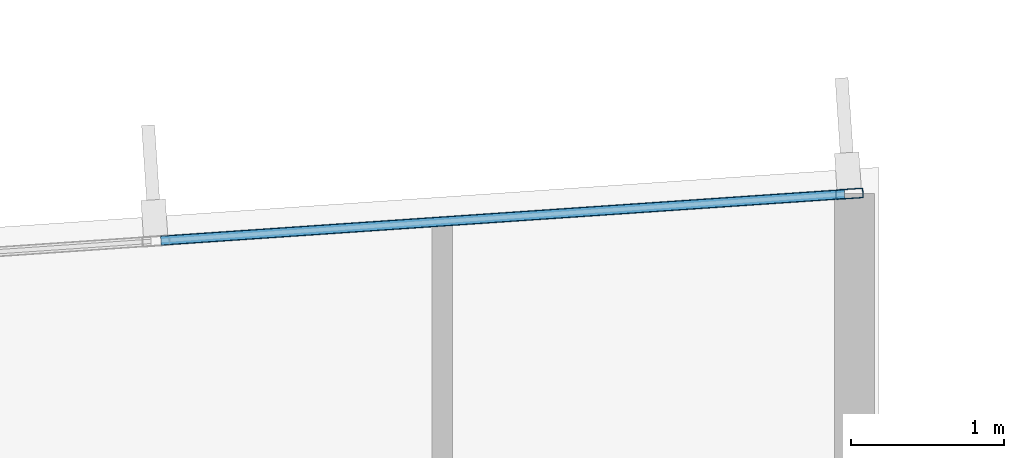
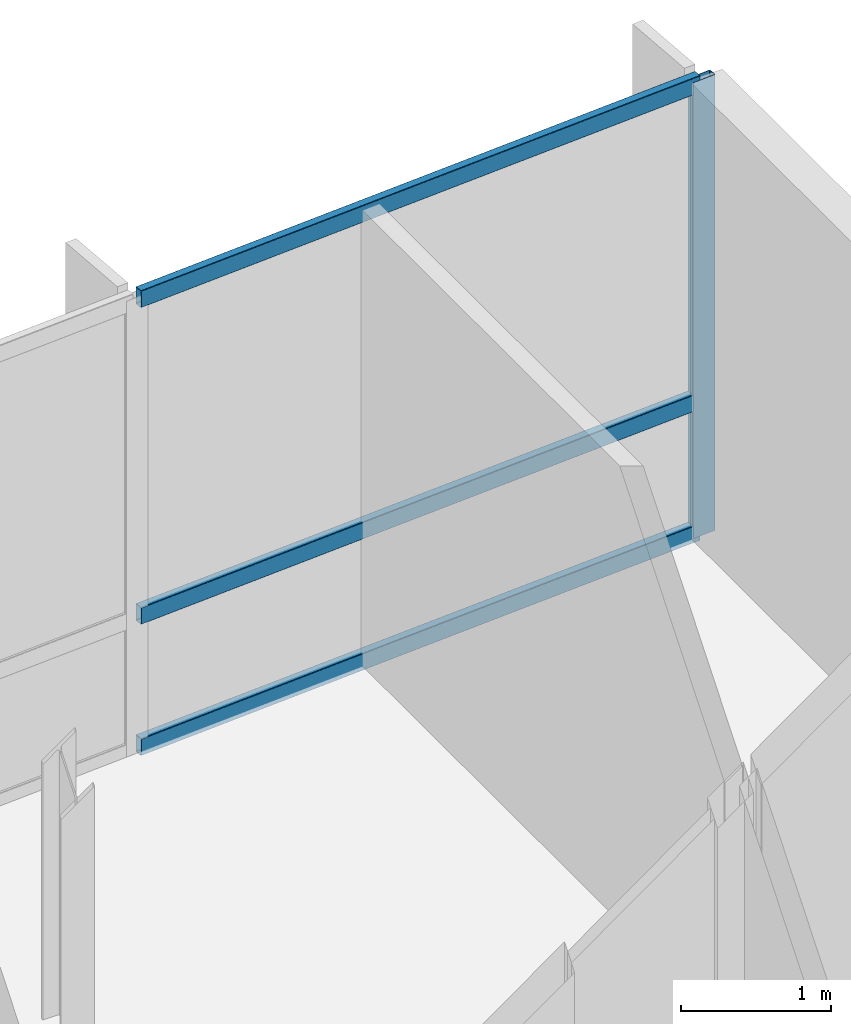
# One storey, part 8 of 16: 4 members, 1 element without a shape of its own.
"""IFC4 building model written with IfcOpenShell, lengths in metres."""

from ifc_helpers import new_model, si_unit, direction, frame, origin, origin_2d, place, context, subcontext, project, spatial, hollow_rectangle, extrude, material, layer, layer_set, material_profile, profile_set, type_object, element, aggregate, save


model = new_model("IFC4")

# Units and contexts
model_context = context("Model", 3, precision=1e-05, world=origin(), true_north=direction((0.0, 1.0)))
body_context = subcontext(model_context, "Body", "Model", "MODEL_VIEW")
ifc_project = project(units=[si_unit("LENGTHUNIT", "METRE"), si_unit("AREAUNIT", "SQUARE_METRE"), si_unit("VOLUMEUNIT", "CUBIC_METRE"), si_unit("PLANEANGLEUNIT", "RADIAN"), si_unit("MASSUNIT", "GRAM", prefix="KILO")], contexts=[model_context])

# Site, building, storey
site_placement = place(None, origin())
site = spatial("IfcSite", under=ifc_project, at=site_placement, CompositionType="ELEMENT")
building_placement = place(site_placement, origin())
building = spatial("IfcBuilding", under=site, at=building_placement, Name="Varnakote Quay Hospital", CompositionType="ELEMENT")
storey_placement = place(building_placement, frame((0.0, 0.0, 223.699951171875)))
storey = spatial("IfcBuildingStorey", under=building, at=storey_placement, Name="L55", CompositionType="ELEMENT", Elevation=223.699951171875)

# Curtain wall, members
ifc_material_1 = material(Name="Anodised aluminium 6063-T6 Bronze", Category="aluminium")
ifc_layer = layer(ifc_material_1, 0.219970703125)
ifc_layer_set = layer_set([ifc_layer], Name="Anodised aluminium 6063-T6 Bronze")
curtain_wall_type = type_object("IfcCurtainWallType", Name="CW-SYS-4", PredefinedType="NOTDEFINED", material=ifc_layer_set)
curtain_wall_placement = place(storey_placement, origin())
curtain_wall = element("IfcCurtainWall", 1, at=curtain_wall_placement, inside=storey, type_object=curtain_wall_type, Name="L55 Unitised Bronze Curtain Wall 2", PredefinedType="NOTDEFINED")
ifc_material_2 = material(Name="Anodised aluminium 6063-T6 Bronze", Category="aluminium")
ifc_material_profile_1 = material_profile(ifc_material_2, hollow_rectangle(XDim=0.06494140625, YDim=0.179931640625, WallThickness=0.00390625, InnerFilletRadius=0.00390625, OuterFilletRadius=0.008056640625, at=origin_2d()), Name="CW-MULL-180x65")
ifc_profile_set_1 = profile_set([ifc_material_profile_1], Name="Anodised aluminium 6063-T6 Bronze")
member_type_1 = type_object("IfcMemberType", Name="CW-MULL-180x65", PredefinedType="MULLION", material=ifc_profile_set_1)
member_1_placement = place(storey_placement, frame((48.507568359375, 31.626708984375, 0.0), z_axis=(0.0, 0.0, 1.0), x_axis=(0.067841851077, -0.997696087615, 0.0)))
member_1 = element("IfcMember", 2, at=member_1_placement, type_object=member_type_1, Name="-4-L55-2 mullion 1", PredefinedType="MULLION", context=body_context, shape_type="SweptSolid", body=[
    extrude(hollow_rectangle(XDim=0.06494140625, YDim=0.179931640625, WallThickness=0.00390625, InnerFilletRadius=0.00390625, OuterFilletRadius=0.008056640625, at=origin_2d()), origin(), (0.0, 0.0, 1.0), 3.7099609375),
])
ifc_material_3 = material(Name="Anodised aluminium 6063-T6 Bronze", Category="aluminium")
ifc_material_profile_2 = material_profile(ifc_material_3, hollow_rectangle(XDim=0.06494140625, YDim=0.139892578125, WallThickness=0.00390625, InnerFilletRadius=0.00390625, OuterFilletRadius=0.007568359375, at=origin_2d()), Name="CW-TRAN-140x65")
ifc_profile_set_2 = profile_set([ifc_material_profile_2], Name="Anodised aluminium 6063-T6 Bronze")
member_type_2 = type_object("IfcMemberType", Name="CW-TRAN-140x65", PredefinedType="USERDEFINED", material=ifc_profile_set_2)
member_2_placement = place(storey_placement, frame((48.47509765625, 31.62451171875, 0.032470703125), z_axis=(-0.997692996523, -0.067887294022, 0.0), x_axis=(0.067887294022, -0.997692996523, 0.0)))
member_2 = element("IfcMember", 3, at=member_2_placement, type_object=member_type_2, Name="-4-L55-2 transom 1.1", ObjectType="TRANSOM", PredefinedType="USERDEFINED", context=body_context, shape_type="SweptSolid", body=[
    extrude(hollow_rectangle(XDim=0.06494140625, YDim=0.139892578125, WallThickness=0.00390625, InnerFilletRadius=0.00390625, OuterFilletRadius=0.007568359375, at=origin_2d()), origin(), (0.0, 0.0, 1.0), 4.488037109375),
])
member_3_placement = place(storey_placement, frame((48.47509765625, 31.62451171875, 1.10009765625), z_axis=(-0.997692996523, -0.067887294022, 0.0), x_axis=(0.067887294022, -0.997692996523, 0.0)))
member_3 = element("IfcMember", 4, at=member_3_placement, type_object=member_type_2, Name="-4-L55-2 transom 1.2", ObjectType="TRANSOM", PredefinedType="USERDEFINED", context=body_context, shape_type="SweptSolid", body=[
    extrude(hollow_rectangle(XDim=0.06494140625, YDim=0.139892578125, WallThickness=0.00390625, InnerFilletRadius=0.00390625, OuterFilletRadius=0.007568359375, at=origin_2d()), origin(), (0.0, 0.0, 1.0), 4.488037109375),
])
member_4_placement = place(storey_placement, frame((48.47509765625, 31.62451171875, 3.677490234375), z_axis=(-0.997692996523, -0.067887294022, 0.0), x_axis=(0.067887294022, -0.997692996523, 0.0)))
member_4 = element("IfcMember", 5, at=member_4_placement, type_object=member_type_2, Name="-4-L55-2 transom 1.3", ObjectType="TRANSOM", PredefinedType="USERDEFINED", context=body_context, shape_type="SweptSolid", body=[
    extrude(hollow_rectangle(XDim=0.06494140625, YDim=0.139892578125, WallThickness=0.00390625, InnerFilletRadius=0.00390625, OuterFilletRadius=0.007568359375, at=origin_2d()), origin(), (0.0, 0.0, 1.0), 4.488037109375),
])
aggregate(curtain_wall, [member_1, member_2, member_3, member_4])

save(model, "model.ifc")
